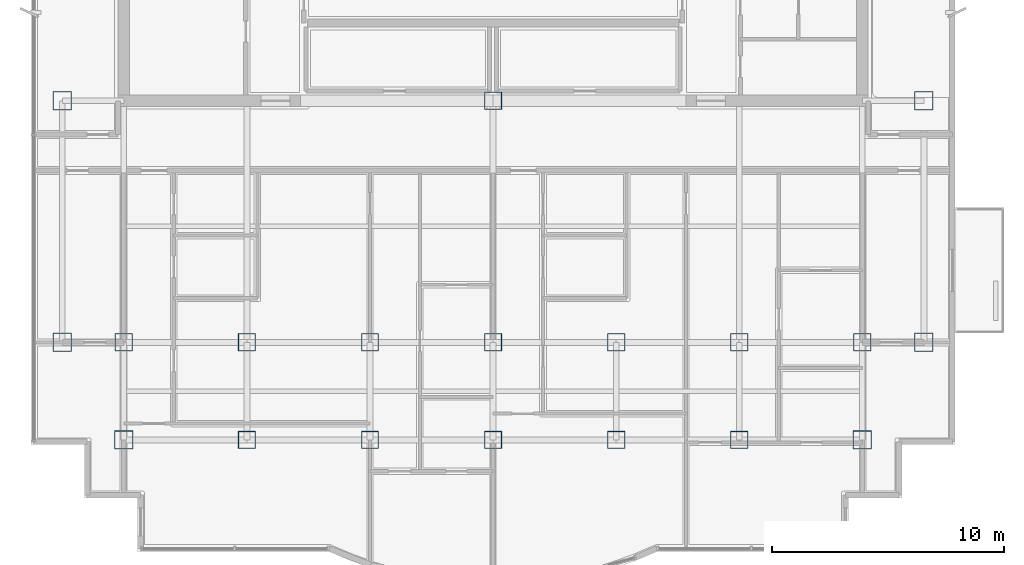
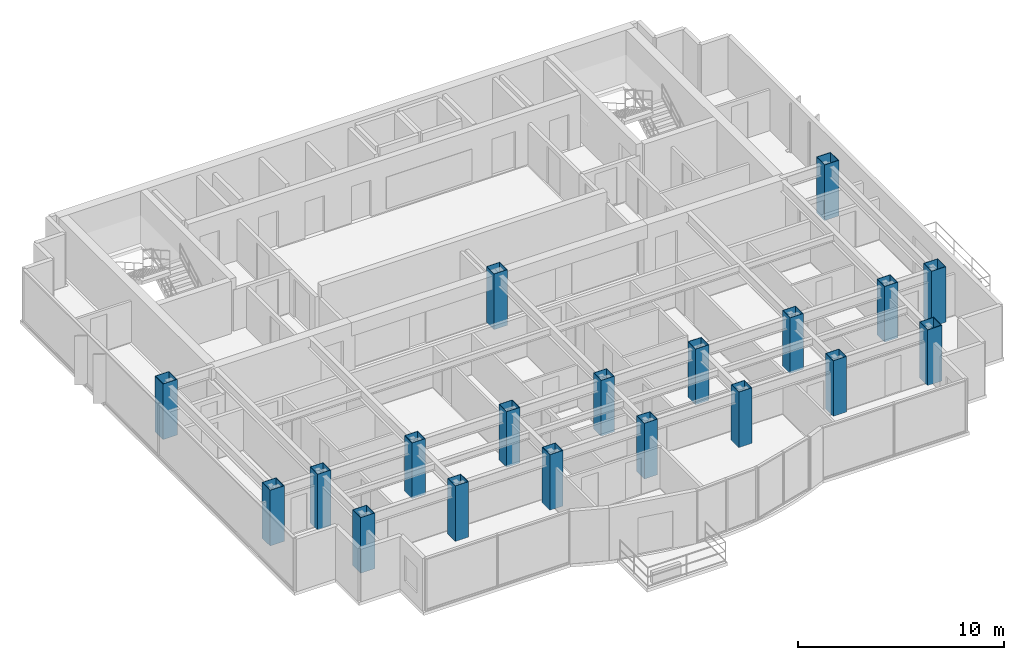
# One storey, part 1 of 11: 19 columns.
"""IFC4 building model written with IfcOpenShell, lengths in metres."""

from ifc_helpers import new_model, si_unit, direction, frame, origin, origin_2d, place, context, subcontext, project, spatial, hollow_rectangle, extrude, material, material_profile, profile_set, type_object, element, save


model = new_model("IFC4")

# Units and contexts
model_context = context("Model", 3, precision=1e-05, world=origin(), true_north=direction((0.0, 1.0)))
body_context = subcontext(model_context, "Body", "Model", "MODEL_VIEW")
ifc_project = project(units=[si_unit("LENGTHUNIT", "METRE"), si_unit("AREAUNIT", "SQUARE_METRE"), si_unit("VOLUMEUNIT", "CUBIC_METRE"), si_unit("PLANEANGLEUNIT", "RADIAN"), si_unit("MASSUNIT", "GRAM", prefix="KILO")], contexts=[model_context])

# Site, building, storey
site_placement = place(None, origin())
site = spatial("IfcSite", under=ifc_project, at=site_placement, CompositionType="ELEMENT")
building_placement = place(site_placement, origin())
building = spatial("IfcBuilding", under=site, at=building_placement, Name="Qianlan Lanfeng Residences", CompositionType="ELEMENT")
storey_placement = place(building_placement, frame((0.0, 0.0, 223.10009765625)))
storey = spatial("IfcBuildingStorey", under=building, at=storey_placement, Name="L61", CompositionType="ELEMENT", Elevation=223.10009765625)

# Columns
ifc_material = material(Name="Steel SN490B", Category="steel")
ifc_material_profile_1 = material_profile(ifc_material, hollow_rectangle(XDim=0.75, YDim=0.75, WallThickness=0.02490234375, at=origin_2d()), Name="BOX 750x750x25")
ifc_profile_set_1 = profile_set([ifc_material_profile_1], Name="Steel SN490B")
column_type_1 = type_object("IfcColumnType", Name="C-B800", PredefinedType="COLUMN", material=ifc_profile_set_1)
for number, where, z_axis, x_axis, name in (
    (1, (26.5, 25.199951171875, 0.0), (0.0, 0.0, 1.0), (1.0, 0.0, 0.0), "L61 Structural Column CP_26.5_25.2"),
    (2, (10.60009765625, 14.800048828125, 0.0), (0.0, 0.0, 1.0), (1.0, 0.0, 0.0), "L61 Structural Column M_10.60_14.80"),
    (3, (15.89990234375, 14.800048828125, 0.0), (0.0, 0.0, 1.0), (1.0, 0.0, 0.0), "L61 Structural Column M_15.90_14.80"),
    (4, (15.89990234375, 10.60009765625, 0.0), (0.0, 0.0, 1.0), (1.0, 0.0, 0.0), "L61 Structural Column G_15.90_10.60"),
    (5, (21.199951171875, 14.800048828125, 0.0), (0.0, 0.0, 1.0), (1.0, 0.0, 0.0), "L61 Structural Column M_21.20_14.80"),
    (6, (21.199951171875, 10.60009765625, 0.0), (0.0, 0.0, 1.0), (1.0, 0.0, 0.0), "L61 Structural Column G_21.20_10.60"),
    (7, (26.5, 14.800048828125, 0.0), (0.0, 0.0, 1.0), (1.0, 0.0, 0.0), "L61 Structural Column M_26.50_14.80"),
    (8, (26.5, 10.60009765625, 0.0), (0.0, 0.0, 1.0), (1.0, 0.0, 0.0), "L61 Structural Column G_26.50_10.60"),
    (9, (31.800048828125, 14.800048828125, 0.0), (0.0, 0.0, 1.0), (1.0, 0.0, 0.0), "L61 Structural Column M_31.80_14.80"),
    (10, (31.800048828125, 10.60009765625, 0.0), (0.0, 0.0, 1.0), (1.0, 0.0, 0.0), "L61 Structural Column G_31.80_10.60"),
    (11, (37.10009765625, 14.800048828125, 0.0), (0.0, 0.0, 1.0), (1.0, 0.0, 0.0), "L61 Structural Column M_37.10_14.80"),
    (12, (37.10009765625, 10.60009765625, 0.0), (0.0, 0.0, 1.0), (1.0, 0.0, 0.0), "L61 Structural Column G_37.10_10.60"),
    (13, (42.39990234375, 14.800048828125, 0.0), (0.0, 0.0, 1.0), (1.0, 0.0, 0.0), "L61 Structural Column M_42.40_14.80"),
):
    element("IfcColumn", number, at=place(storey_placement, frame(where, z_axis=z_axis, x_axis=x_axis)), inside=storey, type_object=column_type_1, Name=name, PredefinedType="COLUMN", context=body_context, shape_type="SweptSolid", body=[
        extrude(hollow_rectangle(XDim=0.75, YDim=0.75, WallThickness=0.02490234375, at=origin_2d()), origin(), (0.0, 0.0, 1.0), 3.2998046875),
    ])
ifc_material_profile_2 = material_profile(ifc_material, hollow_rectangle(XDim=0.800048828125, YDim=0.800048828125, WallThickness=0.028076171875, at=origin_2d()), Name="BOX 800x800x28")
ifc_profile_set_2 = profile_set([ifc_material_profile_2], Name="Steel SN490B")
column_type_2 = type_object("IfcColumnType", Name="CE-B800", PredefinedType="COLUMN", material=ifc_profile_set_2)
for number, where, z_axis, x_axis, name in (
    (14, (10.60009765625, 10.60009765625, 0.0), (0.0, 0.0, 1.0), (1.0, 0.0, 0.0), "L61 Structural Column G_10.60_10.60"),
    (15, (42.39990234375, 10.60009765625, 0.0), (0.0, 0.0, 1.0), (1.0, 0.0, 0.0), "L61 Structural Column G_42.40_10.60"),
    (16, (7.949951171875, 14.800048828125, 0.0), (0.0, 0.0, 1.0), (1.0, 0.0, 0.0), "L61 Structural Column W_7.95_14.80"),
    (17, (7.949951171875, 25.199951171875, 0.0), (0.0, 0.0, 1.0), (1.0, 0.0, 0.0), "L61 Structural Column W_7.95_25.20"),
    (18, (45.050048828125, 14.800048828125, 0.0), (0.0, 0.0, 1.0), (1.0, 0.0, 0.0), "L61 Structural Column W_45.05_14.80"),
    (19, (45.050048828125, 25.199951171875, 0.0), (0.0, 0.0, 1.0), (1.0, 0.0, 0.0), "L61 Structural Column W_45.05_25.20"),
):
    element("IfcColumn", number, at=place(storey_placement, frame(where, z_axis=z_axis, x_axis=x_axis)), inside=storey, type_object=column_type_2, Name=name, PredefinedType="COLUMN", context=body_context, shape_type="SweptSolid", body=[
        extrude(hollow_rectangle(XDim=0.800048828125, YDim=0.800048828125, WallThickness=0.028076171875, at=origin_2d()), origin(), (0.0, 0.0, 1.0), 3.2998046875),
    ])

save(model, "model.ifc")
